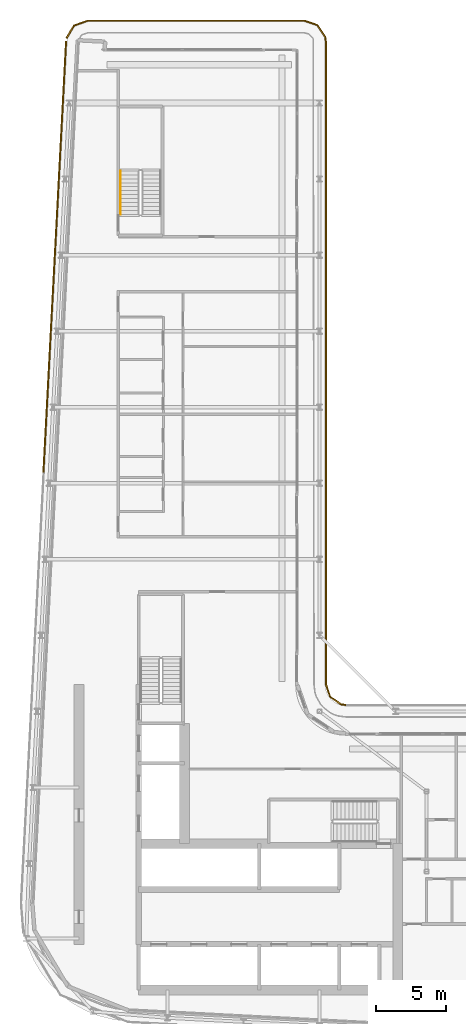
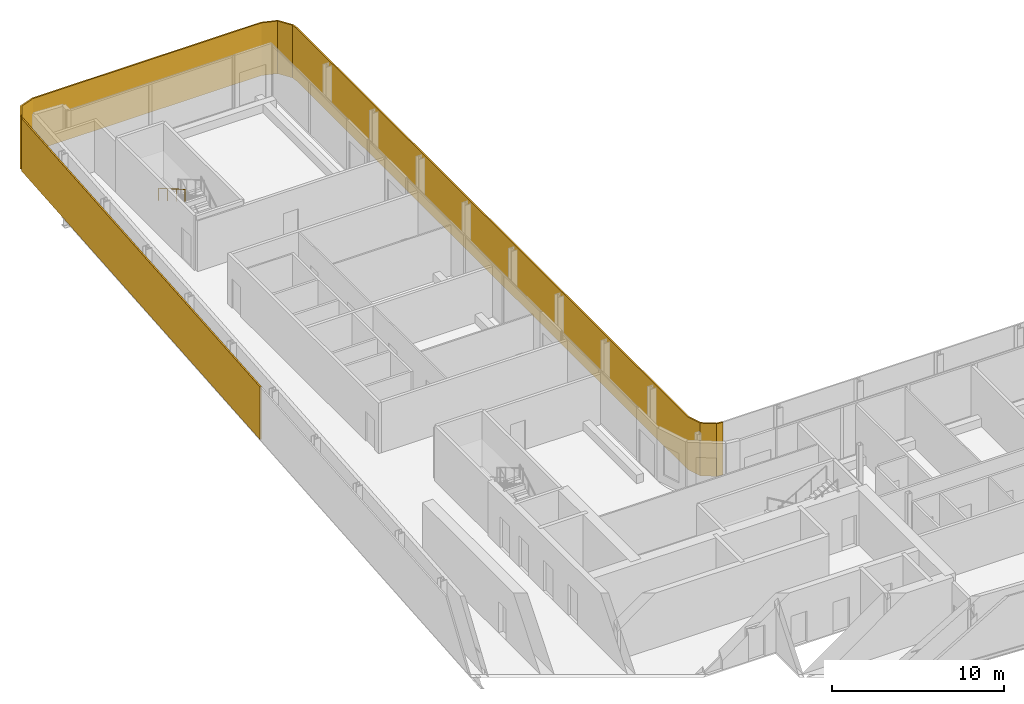
# One storey, part 19 of 21: 2 shading devices, 1 railing.
"""IFC4 building model written with IfcOpenShell, lengths in metres."""

import ifcopenshell
import ifcopenshell.guid

model = None  # the IFC model being written
_history = None  # IfcOwnerHistory: only IFC2X3 demands one
_inside = {}  # id of a spatial element -> (the spatial element, [elements in it])
_under = {}  # id of a project, library or spatial element -> (it, [spatial elements below it])
_declared = {}  # id of a project -> (the project, [libraries it declares])
_typed = {}  # id of a type object -> (the type object, [elements of that type])
_made_of = {}  # id of a material, layer set ... -> (it, [elements and type objects made of it])


def new_model(schema):
    """Start an empty IFC model of exactly this schema.

    Asked for "IFC4X3", IfcOpenShell would pick the latest addendum, in which some entities
    have other attributes; the version numbers below select the first issue.
    IFC2X3 requires an IfcOwnerHistory on every rooted entity: one is made here for all.
    """
    global model, _history
    if schema == "IFC4X3":
        model = ifcopenshell.file(schema_version=(4, 3, 0, 0))
    else:
        model = ifcopenshell.file(schema=schema)
    _inside.clear()
    _under.clear()
    _declared.clear()
    _typed.clear()
    _made_of.clear()
    _history = None
    if model.schema == "IFC2X3":
        org = make("IfcOrganization", Name="unknown")
        user = make(
            "IfcPersonAndOrganization",
            ThePerson=make("IfcPerson", FamilyName="unknown"),
            TheOrganization=org,
        )
        app = make(
            "IfcApplication",
            ApplicationDeveloper=org,
            Version="unknown",
            ApplicationFullName="unknown",
            ApplicationIdentifier="unknown",
        )
        _history = make(
            "IfcOwnerHistory",
            OwningUser=user,
            OwningApplication=app,
            ChangeAction="ADDED",
            CreationDate=0,
        )
    return model


def make(cls, **values):
    """One entity of the class cls with the attributes given. An attribute that is None is left unset."""
    return model.create_entity(
        cls, **{name: value for name, value in values.items() if value is not None}
    )


def rooted(cls, **values):
    """An entity with a GlobalId (a new one), such as an element, a storey or a relation."""
    return make(cls, GlobalId=ifcopenshell.guid.new(), OwnerHistory=_history, **values)


def si_unit(unit_type, name, prefix=None):
    """IfcSIUnit, for example si_unit("LENGTHUNIT", "METRE", prefix="MILLI")."""
    return make("IfcSIUnit", UnitType=unit_type, Prefix=prefix, Name=name)


def assignment(units):
    """IfcUnitAssignment: the units of a project."""
    return None if units is None else make("IfcUnitAssignment", Units=units)


def point(xyz):
    """IfcCartesianPoint."""
    return None if xyz is None else make("IfcCartesianPoint", Coordinates=xyz)


def direction(xyz):
    """IfcDirection."""
    return None if xyz is None else make("IfcDirection", DirectionRatios=xyz)


def frame(location, z_axis=None, x_axis=None):
    """IfcAxis2Placement3D, a coordinate frame: its origin and axes. An axis left out is left unset."""
    return make(
        "IfcAxis2Placement3D",
        Location=point(location),
        Axis=direction(z_axis),
        RefDirection=direction(x_axis),
    )


def frame_2d(location, x_axis=None):
    """IfcAxis2Placement2D, a coordinate frame in the plane: its origin and x axis."""
    return make(
        "IfcAxis2Placement2D", Location=point(location), RefDirection=direction(x_axis)
    )


def origin():
    """The frame at (0, 0, 0) with its axes left unset."""
    return frame((0.0, 0.0, 0.0))


def origin_2d():
    """The frame at (0, 0) in the plane with its x axis left unset."""
    return frame_2d((0.0, 0.0))


def place(relative_to, where):
    """IfcLocalPlacement: puts the frame where relative to a parent placement (None: the world)."""
    return make(
        "IfcLocalPlacement", PlacementRelTo=relative_to, RelativePlacement=where
    )


def context(
    kind, dimensions, precision=None, world=None, true_north=None, identifier=None
):
    """IfcGeometricRepresentationContext, for example the 3D "Model" context."""
    return make(
        "IfcGeometricRepresentationContext",
        ContextIdentifier=identifier,
        ContextType=kind,
        CoordinateSpaceDimension=dimensions,
        Precision=precision,
        WorldCoordinateSystem=world,
        TrueNorth=true_north,
    )


def subcontext(parent, identifier, kind, view, scale=None):
    """IfcGeometricRepresentationSubContext, for example "Body" below "Model"."""
    return make(
        "IfcGeometricRepresentationSubContext",
        ContextIdentifier=identifier,
        ContextType=kind,
        ParentContext=parent,
        TargetScale=scale,
        TargetView=view,
    )


def project(units=None, contexts=None):
    """IfcProject with its units and contexts."""
    return rooted(
        "IfcProject",
        Name="project",
        RepresentationContexts=contexts,
        UnitsInContext=assignment(units),
    )


def spatial(cls, under=None, at=None, **own):
    """A site, building, storey or space (cls), placed at a placement, below another one or the project."""
    s = rooted(cls, ObjectPlacement=at, **own)
    if under is not None:
        _under.setdefault(under.id(), (under, []))[1].append(s)
    return s


def polyline(points):
    """IfcPolyline through the points."""
    return make("IfcPolyline", Points=[point(p) for p in points])


def profile(cls, at=None, kind="AREA", **sizes):
    """A parametric profile (cls). Its sizes go by their IFC names, for example OverallWidth=200.0."""
    return make(cls, ProfileType=kind, Position=at, **sizes)


def rectangle(**sizes):
    """IfcRectangleProfileDef."""
    return profile("IfcRectangleProfileDef", **sizes)


def circle(**sizes):
    """IfcCircleProfileDef."""
    return profile("IfcCircleProfileDef", **sizes)


def outline(outer, holes=None, kind="AREA"):
    """IfcArbitraryClosedProfileDef: a profile drawn as a closed curve; with holes, ...WithVoids."""
    if holes is None:
        return make("IfcArbitraryClosedProfileDef", ProfileType=kind, OuterCurve=outer)
    return make(
        "IfcArbitraryProfileDefWithVoids",
        ProfileType=kind,
        OuterCurve=outer,
        InnerCurves=holes,
    )


def extrude(swept, where, along, depth):
    """IfcExtrudedAreaSolid: the profile swept, set in the frame where, extruded along a direction by depth."""
    return make(
        "IfcExtrudedAreaSolid",
        SweptArea=swept,
        Position=where,
        ExtrudedDirection=direction(along),
        Depth=depth,
    )


def shape(context_of_items, identifier, shape_type, items):
    """IfcShapeRepresentation: the items that make up one representation, for example the "Body"."""
    return make(
        "IfcShapeRepresentation",
        ContextOfItems=context_of_items,
        RepresentationIdentifier=identifier,
        RepresentationType=shape_type,
        Items=items,
    )


def material(Name=None, Category=None):
    """IfcMaterial."""
    return make("IfcMaterial", Name=Name, Category=Category)


def layer(
    of_material, thickness, ventilated=None, Name=None, Category=None, Priority=None
):
    """IfcMaterialLayer: one layer of a wall or slab, of a material (None: an air gap)."""
    return make(
        "IfcMaterialLayer",
        Material=of_material,
        LayerThickness=thickness,
        IsVentilated=ventilated,
        Name=Name,
        Category=Category,
        Priority=Priority,
    )


def layer_set(layers, Name=None):
    """IfcMaterialLayerSet."""
    return make("IfcMaterialLayerSet", MaterialLayers=layers, LayerSetName=Name)


def made_of(thing, what):
    """Note that an element or type object is made of a material, layer set ...; save() writes the relation."""
    if what is not None:
        _made_of.setdefault(what.id(), (what, []))[1].append(thing)
    return thing


def type_object(cls, material=None, **own):
    """A type object (cls), such as IfcWallType, which elements share."""
    return made_of(rooted(cls, **own), material)


def element(
    cls,
    number,
    at=None,
    inside=None,
    cuts=None,
    type_object=None,
    material=None,
    context=None,
    identifier="Body",
    shape_type=None,
    held_by="IfcProductDefinitionShape",
    body=None,
    shapes=None,
    **own,
):
    """One element of the class cls, such as IfcWall. Its Tag is "e" and its number.

    at: its placement. inside: the storey or other place that contains it. cuts: it is an
    opening in that element (IfcRelVoidsElement). A single representation is given by context,
    identifier, shape_type and body (its items); several are given by shapes. held_by: the class
    of the entity that holds the representations. save() writes the other relations.
    """
    e = rooted(cls, Tag="e%d" % number, ObjectPlacement=at, **own)
    if body is not None:
        shapes = [shape(context, identifier, shape_type, body)]
    if shapes is not None:
        e.Representation = make(held_by, Representations=shapes)
    if inside is not None:
        _inside.setdefault(inside.id(), (inside, []))[1].append(e)
    if cuts is not None:
        rooted(
            "IfcRelVoidsElement", RelatingBuildingElement=cuts, RelatedOpeningElement=e
        )
    if type_object is not None:
        _typed.setdefault(type_object.id(), (type_object, []))[1].append(e)
    return made_of(e, material)


def aggregate(whole, parts):
    """IfcRelAggregates: a whole, such as a stair, and the parts it consists of."""
    return rooted("IfcRelAggregates", RelatingObject=whole, RelatedObjects=parts)


def save(model, path):
    """Write the relations noted so far, then the file.

    IfcRelAggregates (storeys below a building ...), IfcRelContainedInSpatialStructure (elements
    in a storey), IfcRelDefinesByType, IfcRelAssociatesMaterial and IfcRelDeclares: one each for
    every whole, place, type object, material and project.
    """
    for whole, parts in _under.values():
        aggregate(whole, parts)
    for where, things in _inside.values():
        rooted(
            "IfcRelContainedInSpatialStructure",
            RelatedElements=things,
            RelatingStructure=where,
        )
    for kind, things in _typed.values():
        rooted("IfcRelDefinesByType", RelatedObjects=things, RelatingType=kind)
    for what, things in _made_of.values():
        rooted("IfcRelAssociatesMaterial", RelatedObjects=things, RelatingMaterial=what)
    for by, libraries in _declared.values():
        rooted("IfcRelDeclares", RelatingContext=by, RelatedDefinitions=libraries)
    model.write(path)


model = new_model("IFC4")

# Units and contexts
model_context = context("Model", 3, precision=1e-05, world=origin(), true_north=direction((0.0, 1.0)))
body_context = subcontext(model_context, "Body", "Model", "MODEL_VIEW")
ifc_project = project(units=[si_unit("LENGTHUNIT", "METRE"), si_unit("AREAUNIT", "SQUARE_METRE"), si_unit("VOLUMEUNIT", "CUBIC_METRE"), si_unit("PLANEANGLEUNIT", "RADIAN"), si_unit("MASSUNIT", "GRAM", prefix="KILO")], contexts=[model_context])

# Site, building, storey
site_placement = place(None, origin())
site = spatial("IfcSite", under=ifc_project, at=site_placement, CompositionType="ELEMENT")
building_placement = place(site_placement, origin())
building = spatial("IfcBuilding", under=site, at=building_placement, Name="Kheshtan School and Residences Tower", CompositionType="ELEMENT")
storey_placement = place(building_placement, frame((0.0, 0.0, 231.800048828125)))
storey = spatial("IfcBuildingStorey", under=building, at=storey_placement, Name="L54", CompositionType="ELEMENT", Elevation=231.800048828125)

# Shading devices
ifc_material_1 = material(Name="Terracotta baguette, extruded ceramic", Category="masonry")
ifc_layer_1 = layer(ifc_material_1, 0.10009765625)
ifc_layer_set_1 = layer_set([ifc_layer_1], Name="Ledge screen, terracotta baguettes")
shading_device_type_1 = type_object("IfcShadingDeviceType", Name="Ledge screen, terracotta baguettes", PredefinedType="USERDEFINED", material=ifc_layer_set_1)
shading_device_1_placement = place(storey_placement, frame((28.785888671875, 77.884033203125, 0.0), z_axis=(0.0, 0.0, 1.0), x_axis=(0.052562536748, 0.998617634398, 0.0)))
element("IfcShadingDevice", 1, at=shading_device_1_placement, inside=storey, type_object=shading_device_type_1, Name="Screen L54 5", ObjectType="BAGUETTE", PredefinedType="USERDEFINED", context=body_context, shape_type="SweptSolid", body=[
    extrude(rectangle(XDim=30.636962890625, YDim=0.10009765625, at=origin_2d()), origin(), (0.0, 0.0, 1.0), 3.75),
])
ifc_material_2 = material(Name="Terracotta lattice, extruded ceramic", Category="masonry")
ifc_layer_2 = layer(ifc_material_2, 0.10009765625)
ifc_layer_set_2 = layer_set([ifc_layer_2], Name="Loggia screen, terracotta lattice")
shading_device_type_2 = type_object("IfcShadingDeviceType", Name="Loggia screen, terracotta lattice", PredefinedType="USERDEFINED", material=ifc_layer_set_2)
shading_device_2_placement = place(storey_placement, origin())
element("IfcShadingDevice", 2, at=shading_device_2_placement, inside=storey, type_object=shading_device_type_2, Name="Screen L54 1", ObjectType="SCREEN", PredefinedType="USERDEFINED", context=body_context, shape_type="SweptSolid", body=[
    extrude(outline(polyline([(29.666015625, 93.384033203125), (30.18408203125, 94.257080078125), (31.138916015625, 94.60009765625), (46.5, 94.60009765625), (47.4130859375, 94.2900390625), (47.948974609375, 93.488037109375), (48.0, 93.10009765625), (48.0, 47.5), (48.31005859375, 46.5869140625), (49.112060546875, 46.051025390625), (49.5, 46.0), (49.512939453125, 46.09912109375), (49.14794921875, 46.14697265625), (48.39404296875, 46.65087890625), (48.10009765625, 47.51708984375), (48.10009765625, 93.10693359375), (48.044921875, 93.52392578125), (47.47705078125, 94.3740234375), (46.51708984375, 94.699951171875), (31.1220703125, 94.699951171875), (30.115966796875, 94.339111328125), (29.580078125, 93.43505859375), (29.666015625, 93.384033203125)])), origin(), (0.0, 0.0, 1.0), 3.75),
])

# Railing
ifc_material_3 = material(Name="Stainless steel handrail", Category="steel")
railing_type = type_object("IfcRailingType", Name="Stair handrail 900", PredefinedType="HANDRAIL", material=ifc_material_3)
railing_placement = place(storey_placement, frame((33.449951171875, 83.97998046875, 2.112548828125)))
element("IfcRailing", 3, at=railing_placement, inside=storey, type_object=railing_type, Name="L54 ST3 stair handrail 2", PredefinedType="HANDRAIL", context=body_context, shape_type="SweptSolid", body=[
    extrude(circle(Radius=0.02392578125, at=origin_2d()), frame((0.0, 0.0, 0.8759765625), z_axis=(0.0, -0.864920483161, 0.501908913857), x_axis=(1.0, 0.0, 0.0)), (0.0, 0.0, 1.0), 3.56103515625),
    extrude(circle(Radius=0.02099609375, at=origin_2d()), origin(), (0.0, 0.0, 1.0), 0.851806640625),
    extrude(circle(Radius=0.02099609375, at=origin_2d()), frame((0.0, -1.026611328125, 0.595703125)), (0.0, 0.0, 1.0), 0.851806640625),
    extrude(circle(Radius=0.02099609375, at=origin_2d()), frame((0.0, -2.053466796875, 1.191650390625)), (0.0, 0.0, 1.0), 0.851806640625),
    extrude(circle(Radius=0.02099609375, at=origin_2d()), frame((0.0, -3.080078125, 1.787353515625)), (0.0, 0.0, 1.0), 0.851806640625),
])

save(model, "model.ifc")
